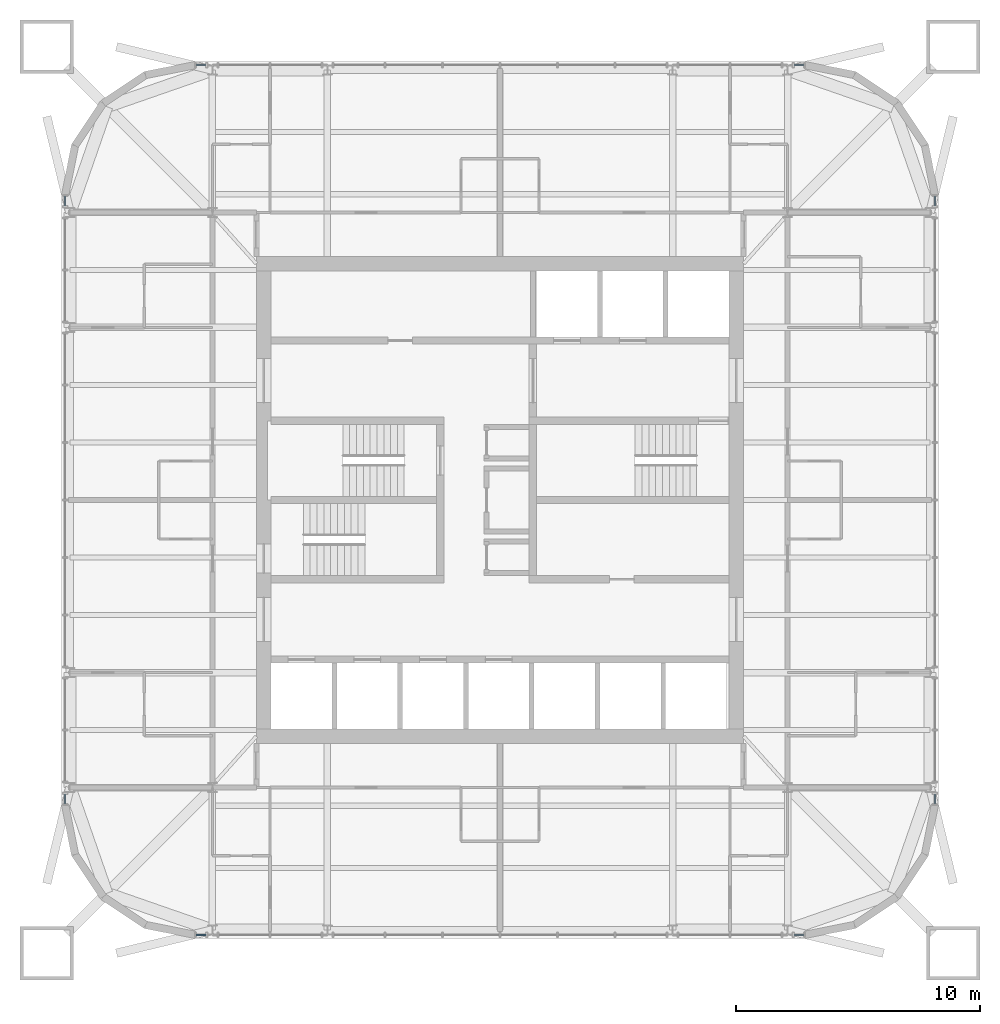
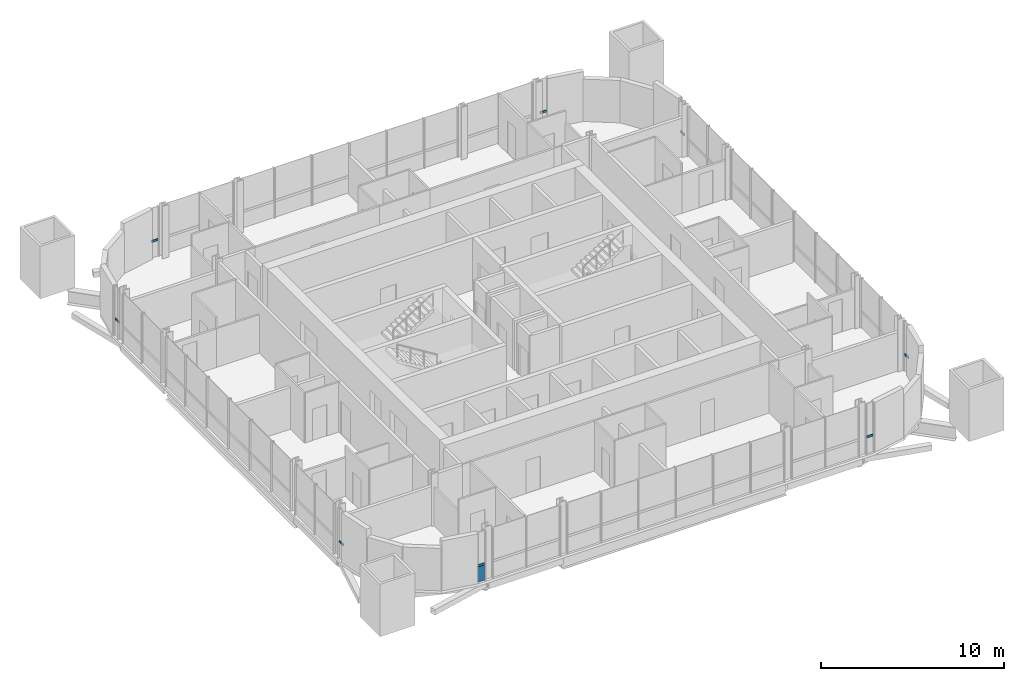
# One storey, part 6 of 16: 8 members, 1 plate, 8 elements without a shape of their own.
"""IFC4 building model written with IfcOpenShell, lengths in metres."""

from ifc_helpers import new_model, si_unit, direction, frame, origin, origin_2d, place, context, subcontext, project, spatial, rectangle, extrude, material, layer, layer_set, material_profile, profile_set, type_object, element, aggregate, save


model = new_model("IFC4")

# Units and contexts
model_context = context("Model", 3, precision=1e-05, world=origin(), true_north=direction((0.0, 1.0)))
body_context = subcontext(model_context, "Body", "Model", "MODEL_VIEW")
ifc_project = project(units=[si_unit("LENGTHUNIT", "METRE"), si_unit("AREAUNIT", "SQUARE_METRE"), si_unit("VOLUMEUNIT", "CUBIC_METRE"), si_unit("PLANEANGLEUNIT", "RADIAN"), si_unit("MASSUNIT", "GRAM", prefix="KILO")], contexts=[model_context])

# Site, building, storey
site_placement = place(None, origin())
site = spatial("IfcSite", under=ifc_project, at=site_placement, CompositionType="ELEMENT")
building_placement = place(site_placement, origin())
building = spatial("IfcBuilding", under=site, at=building_placement, Name="Turquesa Mirador Hotel Tower", CompositionType="ELEMENT")
storey_placement = place(building_placement, frame((0.0, 0.0, 230.199951171875)))
storey = spatial("IfcBuildingStorey", under=building, at=storey_placement, Name="L62", CompositionType="ELEMENT", Elevation=230.199951171875)

# Curtain wall, member
ifc_material_1 = material(Name="Aluminium extrusion", Category="aluminium")
curtain_wall_type = type_object("IfcCurtainWallType", Name="CW-4 SUITE FRITTED CURTAIN WALL", PredefinedType="USERDEFINED", material=ifc_material_1)
curtain_wall_1_placement = place(storey_placement, origin())
curtain_wall_1 = element("IfcCurtainWall", 1, at=curtain_wall_1_placement, inside=storey, type_object=curtain_wall_type, Name="CW-4 SUITE FRITTED CURTAIN WALL L62", ObjectType="CURTAIN WALL", PredefinedType="USERDEFINED")
ifc_material_2 = material(Name="Aluminium extrusion", Category="aluminium")
ifc_material_profile = material_profile(ifc_material_2, rectangle(XDim=0.06494140625, YDim=0.14990234375, at=origin_2d()), Name="TRANSOM 65X150")
ifc_profile_set = profile_set([ifc_material_profile], Name="Aluminium extrusion")
member_type = type_object("IfcMemberType", Name="CW TRANSOM 65X150", PredefinedType="USERDEFINED", material=ifc_profile_set)
member_1_placement = place(storey_placement, frame((72.85009765625, 32.532470703125, 1.10009765625), z_axis=(0.0, 1.0, 0.0), x_axis=(-1.0, 0.0, 0.0)))
member_1 = element("IfcMember", 2, at=member_1_placement, type_object=member_type, Name="Transom", ObjectType="TRANSOM", PredefinedType="USERDEFINED", context=body_context, shape_type="SweptSolid", body=[
    extrude(rectangle(XDim=0.06494140625, YDim=0.14990234375, at=origin_2d()), origin(), (0.0, 0.0, 1.0), 0.401123046875),
])
aggregate(curtain_wall_1, [member_1])

curtain_wall_2_placement = place(storey_placement, origin())
curtain_wall_2 = element("IfcCurtainWall", 3, at=curtain_wall_2_placement, inside=storey, type_object=curtain_wall_type, Name="CW-4 SUITE FRITTED CURTAIN WALL L62", ObjectType="CURTAIN WALL", PredefinedType="USERDEFINED")
member_2_placement = place(storey_placement, frame((72.85009765625, 57.06640625, 1.10009765625), z_axis=(0.0, 1.0, 0.0), x_axis=(-1.0, 0.0, 0.0)))
member_2 = element("IfcMember", 4, at=member_2_placement, type_object=member_type, Name="Transom", ObjectType="TRANSOM", PredefinedType="USERDEFINED", context=body_context, shape_type="SweptSolid", body=[
    extrude(rectangle(XDim=0.06494140625, YDim=0.14990234375, at=origin_2d()), origin(), (0.0, 0.0, 1.0), 0.401123046875),
])
aggregate(curtain_wall_2, [member_2])

curtain_wall_3_placement = place(storey_placement, origin())
curtain_wall_3 = element("IfcCurtainWall", 5, at=curtain_wall_3_placement, inside=storey, type_object=curtain_wall_type, Name="CW-4 SUITE FRITTED CURTAIN WALL L62", ObjectType="CURTAIN WALL", PredefinedType="USERDEFINED")
member_3_placement = place(storey_placement, frame((67.467529296875, 62.85009765625, 1.10009765625), z_axis=(-1.0, 0.0, 0.0), x_axis=(0.0, -1.0, 0.0)))
member_3 = element("IfcMember", 6, at=member_3_placement, type_object=member_type, Name="Transom", ObjectType="TRANSOM", PredefinedType="USERDEFINED", context=body_context, shape_type="SweptSolid", body=[
    extrude(rectangle(XDim=0.06494140625, YDim=0.14990234375, at=origin_2d()), origin(), (0.0, 0.0, 1.0), 0.401123046875),
])
aggregate(curtain_wall_3, [member_3])

curtain_wall_4_placement = place(storey_placement, origin())
curtain_wall_4 = element("IfcCurtainWall", 7, at=curtain_wall_4_placement, inside=storey, type_object=curtain_wall_type, Name="CW-4 SUITE FRITTED CURTAIN WALL L62", ObjectType="CURTAIN WALL", PredefinedType="USERDEFINED")
member_4_placement = place(storey_placement, frame((42.93359375, 62.85009765625, 1.10009765625), z_axis=(-1.0, 0.0, 0.0), x_axis=(0.0, -1.0, 0.0)))
member_4 = element("IfcMember", 8, at=member_4_placement, type_object=member_type, Name="Transom", ObjectType="TRANSOM", PredefinedType="USERDEFINED", context=body_context, shape_type="SweptSolid", body=[
    extrude(rectangle(XDim=0.06494140625, YDim=0.14990234375, at=origin_2d()), origin(), (0.0, 0.0, 1.0), 0.401123046875),
])
aggregate(curtain_wall_4, [member_4])

curtain_wall_5_placement = place(storey_placement, origin())
curtain_wall_5 = element("IfcCurtainWall", 9, at=curtain_wall_5_placement, inside=storey, type_object=curtain_wall_type, Name="CW-4 SUITE FRITTED CURTAIN WALL L62", ObjectType="CURTAIN WALL", PredefinedType="USERDEFINED")
member_5_placement = place(storey_placement, frame((37.14990234375, 57.467529296875, 1.10009765625), z_axis=(0.0, -1.0, 0.0), x_axis=(1.0, 0.0, 0.0)))
member_5 = element("IfcMember", 10, at=member_5_placement, type_object=member_type, Name="Transom", ObjectType="TRANSOM", PredefinedType="USERDEFINED", context=body_context, shape_type="SweptSolid", body=[
    extrude(rectangle(XDim=0.06494140625, YDim=0.14990234375, at=origin_2d()), origin(), (0.0, 0.0, 1.0), 0.401123046875),
])
aggregate(curtain_wall_5, [member_5])

curtain_wall_6_placement = place(storey_placement, origin())
curtain_wall_6 = element("IfcCurtainWall", 11, at=curtain_wall_6_placement, inside=storey, type_object=curtain_wall_type, Name="CW-4 SUITE FRITTED CURTAIN WALL L62", ObjectType="CURTAIN WALL", PredefinedType="USERDEFINED")
member_6_placement = place(storey_placement, frame((37.14990234375, 32.93359375, 1.10009765625), z_axis=(0.0, -1.0, 0.0), x_axis=(1.0, 0.0, 0.0)))
member_6 = element("IfcMember", 12, at=member_6_placement, type_object=member_type, Name="Transom", ObjectType="TRANSOM", PredefinedType="USERDEFINED", context=body_context, shape_type="SweptSolid", body=[
    extrude(rectangle(XDim=0.06494140625, YDim=0.14990234375, at=origin_2d()), origin(), (0.0, 0.0, 1.0), 0.401123046875),
])
aggregate(curtain_wall_6, [member_6])

curtain_wall_7_placement = place(storey_placement, origin())
curtain_wall_7 = element("IfcCurtainWall", 13, at=curtain_wall_7_placement, inside=storey, type_object=curtain_wall_type, Name="CW-4 SUITE FRITTED CURTAIN WALL L62", ObjectType="CURTAIN WALL", PredefinedType="USERDEFINED")
member_7_placement = place(storey_placement, frame((42.532470703125, 27.14990234375, 1.10009765625), z_axis=(1.0, 0.0, 0.0), x_axis=(0.0, 1.0, 0.0)))
member_7 = element("IfcMember", 14, at=member_7_placement, type_object=member_type, Name="Transom", ObjectType="TRANSOM", PredefinedType="USERDEFINED", context=body_context, shape_type="SweptSolid", body=[
    extrude(rectangle(XDim=0.06494140625, YDim=0.14990234375, at=origin_2d()), origin(), (0.0, 0.0, 1.0), 0.401123046875),
])

curtain_wall_8_placement = place(storey_placement, origin())
curtain_wall_8 = element("IfcCurtainWall", 15, at=curtain_wall_8_placement, inside=storey, type_object=curtain_wall_type, Name="CW-4 SUITE FRITTED CURTAIN WALL L62", ObjectType="CURTAIN WALL", PredefinedType="USERDEFINED")
member_8_placement = place(storey_placement, frame((67.06640625, 27.14990234375, 1.10009765625), z_axis=(1.0, 0.0, 0.0), x_axis=(0.0, 1.0, 0.0)))
member_8 = element("IfcMember", 16, at=member_8_placement, type_object=member_type, Name="Transom", ObjectType="TRANSOM", PredefinedType="USERDEFINED", context=body_context, shape_type="SweptSolid", body=[
    extrude(rectangle(XDim=0.06494140625, YDim=0.14990234375, at=origin_2d()), origin(), (0.0, 0.0, 1.0), 0.401123046875),
])
aggregate(curtain_wall_8, [member_8])

# Plate
ifc_material_3 = material(Name="Ceramic-printed spandrel glass on an insulated back pan", Category="glass")
ifc_layer = layer(ifc_material_3, 0.050048828125)
ifc_layer_set = layer_set([ifc_layer], Name="CW PANEL SPANDREL CERAMIC")
plate_type = type_object("IfcPlateType", Name="CW PANEL SPANDREL CERAMIC", PredefinedType="CURTAIN_PANEL", material=ifc_layer_set)
plate_placement = place(storey_placement, frame((42.733154296875, 27.14990234375, 0.0), z_axis=(0.0, 0.0, 1.0), x_axis=(1.0, 0.0, 0.0)))
plate = element("IfcPlate", 17, at=plate_placement, type_object=plate_type, Name="Panel", PredefinedType="CURTAIN_PANEL", context=body_context, shape_type="SweptSolid", body=[
    extrude(rectangle(XDim=0.401123046875, YDim=0.050048828125, at=origin_2d()), origin(), (0.0, 0.0, 1.0), 1.02490234375),
])

aggregate(curtain_wall_7, [member_7, plate])

save(model, "model.ifc")
